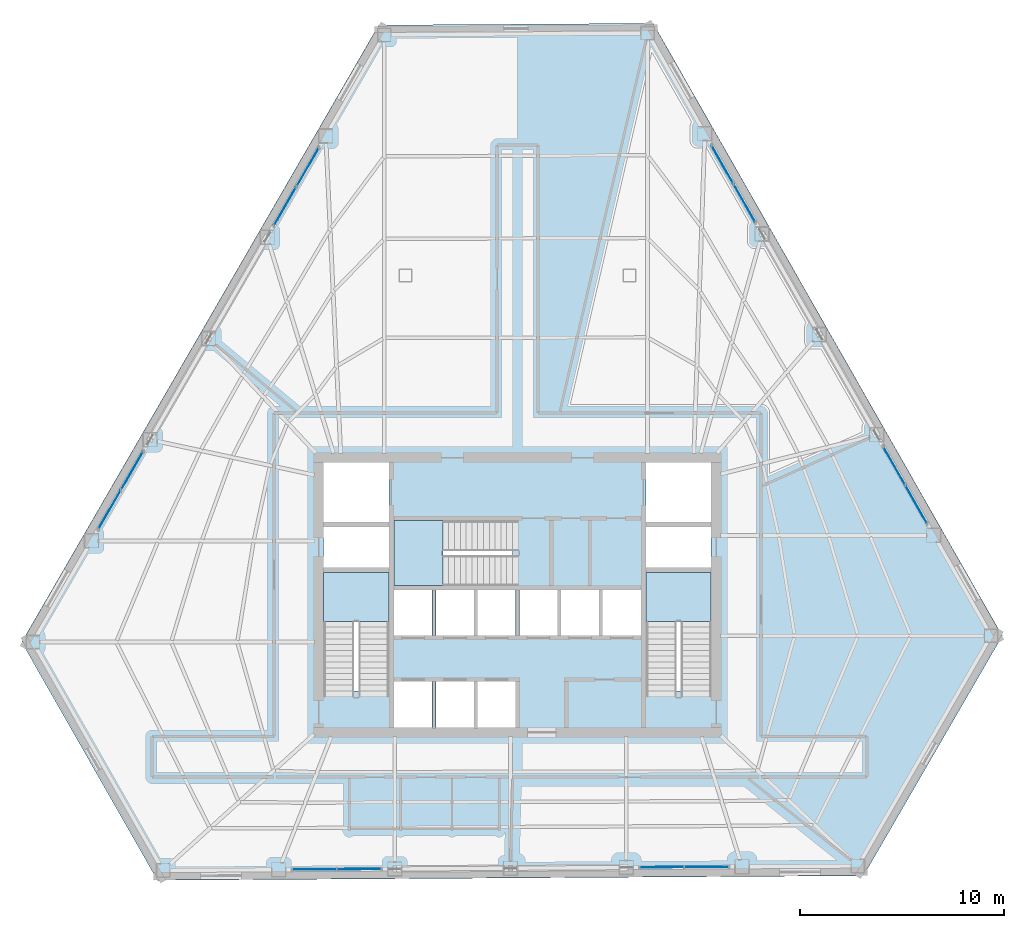
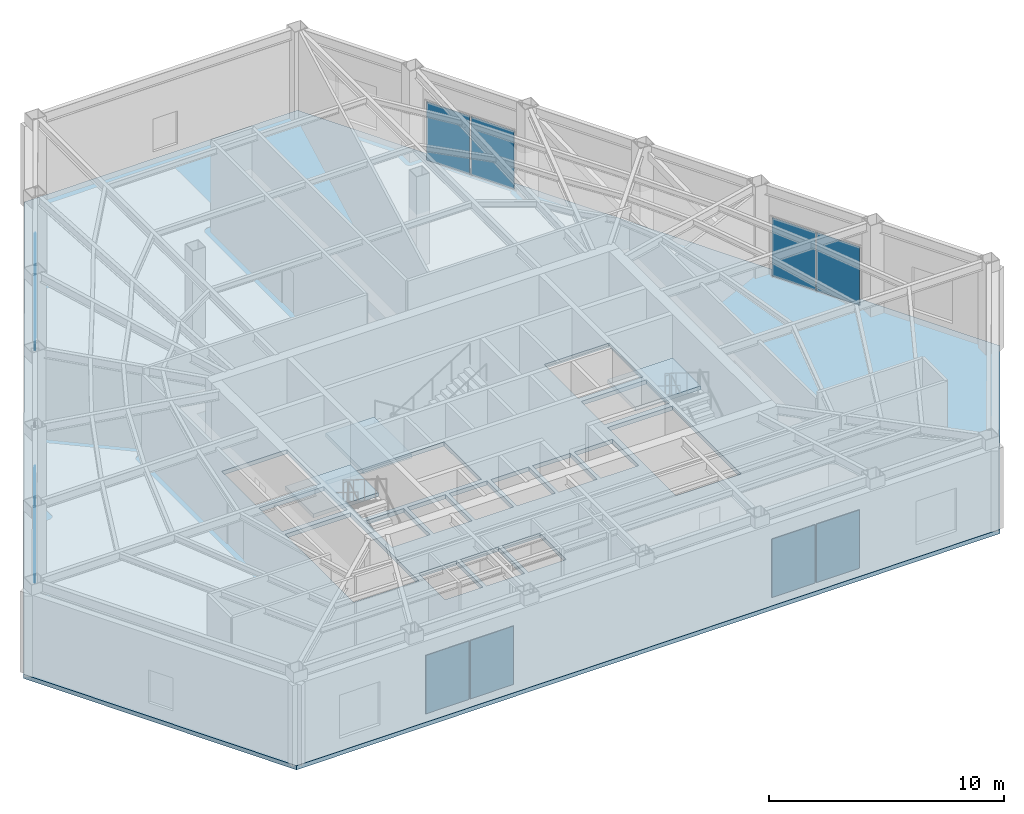
# One storey, part 6 of 14: 12 plates, 4 slabs, 9 elements without a shape of their own.
"""IFC4 building model written with IfcOpenShell, lengths in metres."""

from ifc_helpers import new_model, si_unit, direction, frame, origin, origin_2d, place, context, subcontext, project, spatial, polyline, rectangle, outline, extrude, material, layer, layer_set, type_object, element, aggregate, save


model = new_model("IFC4")

# Units and contexts
model_context = context("Model", 3, precision=1e-05, world=origin(), true_north=direction((0.0, 1.0)))
body_context = subcontext(model_context, "Body", "Model", "MODEL_VIEW")
ifc_project = project(units=[si_unit("LENGTHUNIT", "METRE"), si_unit("AREAUNIT", "SQUARE_METRE"), si_unit("VOLUMEUNIT", "CUBIC_METRE"), si_unit("PLANEANGLEUNIT", "RADIAN"), si_unit("MASSUNIT", "GRAM", prefix="KILO")], contexts=[model_context])

# Site, building, storey
site_placement = place(None, origin())
site = spatial("IfcSite", under=ifc_project, at=site_placement, CompositionType="ELEMENT")
building_placement = place(site_placement, origin())
building = spatial("IfcBuilding", under=site, at=building_placement, Name="Kavelnor Concourse Tower", CompositionType="ELEMENT")
storey_placement = place(building_placement, frame((0.0, 0.0, 80.5)))
storey = spatial("IfcBuildingStorey", under=building, at=storey_placement, Name="L20", CompositionType="ELEMENT", Elevation=80.5)

# Curtain wall, plates
ifc_material_1 = material(Name="Anodised aluminium 6063-T6", Category="aluminium")
ifc_layer_1 = layer(ifc_material_1, 0.18505859375, Name="Anodised aluminium 6063-T6")
ifc_layer_set_1 = layer_set([ifc_layer_1], Name="Anodised aluminium 6063-T6")
curtain_wall_type = type_object("IfcCurtainWallType", Name="CW-SKYLOBBY-L20", PredefinedType="NOTDEFINED", material=ifc_layer_set_1)
curtain_wall_1_placement = place(storey_placement, origin())
curtain_wall_1 = element("IfcCurtainWall", 1, at=curtain_wall_1_placement, inside=storey, type_object=curtain_wall_type, Name="L20 Feature Curtain Wall F0-B1", PredefinedType="NOTDEFINED")
ifc_material_2 = material(Name="Double low-E argon insulated glazing", Category="glass")
ifc_layer_2 = layer(ifc_material_2, 0.030029296875, Name="Double low-E argon insulated glazing")
ifc_layer_set_2 = layer_set([ifc_layer_2], Name="Double low-E argon insulated glazing")
plate_type = type_object("IfcPlateType", Name="CW-SKYLOBBY-L20-PANEL", PredefinedType="CURTAIN_PANEL", material=ifc_layer_set_2)
plate_1_placement = place(storey_placement, frame((27.69873046875, 37.12548828125, 0.06005859375), z_axis=(0.0, 0.0, 1.0), x_axis=(-0.500755559253, -0.865588741769, 0.0)))
plate_1 = element("IfcPlate", 2, at=plate_1_placement, type_object=plate_type, Name="L20 Feature Curtain Wall F0-B1 Vision Panel 1", PredefinedType="CURTAIN_PANEL", context=body_context, shape_type="SweptSolid", body=[
    extrude(rectangle(XDim=2.16357421875, YDim=0.030029296875, at=origin_2d()), origin(), (0.0, 0.0, 1.0), 3.030029296875),
])
plate_2_placement = place(storey_placement, frame((26.585693359375, 35.20166015625, 0.06005859375), z_axis=(0.0, 0.0, 1.0), x_axis=(-0.500755559253, -0.865588741769, 0.0)))
plate_2 = element("IfcPlate", 3, at=plate_2_placement, type_object=plate_type, Name="L20 Feature Curtain Wall F0-B1 Vision Panel 2", PredefinedType="CURTAIN_PANEL", context=body_context, shape_type="SweptSolid", body=[
    extrude(rectangle(XDim=2.16357421875, YDim=0.030029296875, at=origin_2d()), origin(), (0.0, 0.0, 1.0), 3.030029296875),
])
aggregate(curtain_wall_1, [plate_1, plate_2])

curtain_wall_2_placement = place(storey_placement, origin())
curtain_wall_2 = element("IfcCurtainWall", 4, at=curtain_wall_2_placement, inside=storey, type_object=curtain_wall_type, Name="L20 Feature Curtain Wall F0-B4", PredefinedType="NOTDEFINED")
plate_3_placement = place(storey_placement, frame((19.067626953125, 22.20703125, 0.06005859375), z_axis=(0.0, 0.0, 1.0), x_axis=(-0.500755559253, -0.865588741769, 0.0)))
plate_3 = element("IfcPlate", 5, at=plate_3_placement, type_object=plate_type, Name="L20 Feature Curtain Wall F0-B4 Vision Panel 1", PredefinedType="CURTAIN_PANEL", context=body_context, shape_type="SweptSolid", body=[
    extrude(rectangle(XDim=2.16357421875, YDim=0.030029296875, at=origin_2d()), origin(), (0.0, 0.0, 1.0), 3.030029296875),
])
plate_4_placement = place(storey_placement, frame((17.95458984375, 20.283203125, 0.06005859375), z_axis=(0.0, 0.0, 1.0), x_axis=(-0.500755559253, -0.865588741769, 0.0)))
plate_4 = element("IfcPlate", 6, at=plate_4_placement, type_object=plate_type, Name="L20 Feature Curtain Wall F0-B4 Vision Panel 2", PredefinedType="CURTAIN_PANEL", context=body_context, shape_type="SweptSolid", body=[
    extrude(rectangle(XDim=2.16357421875, YDim=0.030029296875, at=origin_2d()), origin(), (0.0, 0.0, 1.0), 3.030029296875),
])
aggregate(curtain_wall_2, [plate_3, plate_4])

curtain_wall_3_placement = place(storey_placement, origin())
curtain_wall_3 = element("IfcCurtainWall", 7, at=curtain_wall_3_placement, inside=storey, type_object=curtain_wall_type, Name="L20 Feature Curtain Wall F1-B1", PredefinedType="NOTDEFINED")
plate_5_placement = place(storey_placement, frame((28.0263671875, 2.615478515625, 0.06005859375), z_axis=(0.0, 0.0, 1.0), x_axis=(0.99997914901, 0.006457673349, 0.0)))
plate_5 = element("IfcPlate", 8, at=plate_5_placement, type_object=plate_type, Name="L20 Feature Curtain Wall F1-B1 Vision Panel 1", PredefinedType="CURTAIN_PANEL", context=body_context, shape_type="SweptSolid", body=[
    extrude(rectangle(XDim=2.135498046875, YDim=0.030029296875, at=origin_2d()), origin(), (0.0, 0.0, 1.0), 3.030029296875),
])
plate_6_placement = place(storey_placement, frame((30.220703125, 2.629638671875, 0.06005859375), z_axis=(0.0, 0.0, 1.0), x_axis=(0.99997914901, 0.006457673349, 0.0)))
plate_6 = element("IfcPlate", 9, at=plate_6_placement, type_object=plate_type, Name="L20 Feature Curtain Wall F1-B1 Vision Panel 2", PredefinedType="CURTAIN_PANEL", context=body_context, shape_type="SweptSolid", body=[
    extrude(rectangle(XDim=2.135498046875, YDim=0.030029296875, at=origin_2d()), origin(), (0.0, 0.0, 1.0), 3.030029296875),
])
aggregate(curtain_wall_3, [plate_5, plate_6])

curtain_wall_4_placement = place(storey_placement, origin())
curtain_wall_4 = element("IfcCurtainWall", 10, at=curtain_wall_4_placement, inside=storey, type_object=curtain_wall_type, Name="L20 Feature Curtain Wall F1-B4", PredefinedType="NOTDEFINED")
plate_7_placement = place(storey_placement, frame((45.09326171875, 2.72509765625, 0.06005859375), z_axis=(0.0, 0.0, 1.0), x_axis=(0.99997914901, 0.006457673349, 0.0)))
plate_7 = element("IfcPlate", 11, at=plate_7_placement, type_object=plate_type, Name="L20 Feature Curtain Wall F1-B4 Vision Panel 1", PredefinedType="CURTAIN_PANEL", context=body_context, shape_type="SweptSolid", body=[
    extrude(rectangle(XDim=2.135498046875, YDim=0.030029296875, at=origin_2d()), origin(), (0.0, 0.0, 1.0), 3.030029296875),
])
plate_8_placement = place(storey_placement, frame((47.28759765625, 2.7392578125, 0.06005859375), z_axis=(0.0, 0.0, 1.0), x_axis=(0.99997914901, 0.006457673349, 0.0)))
plate_8 = element("IfcPlate", 12, at=plate_8_placement, type_object=plate_type, Name="L20 Feature Curtain Wall F1-B4 Vision Panel 2", PredefinedType="CURTAIN_PANEL", context=body_context, shape_type="SweptSolid", body=[
    extrude(rectangle(XDim=2.135498046875, YDim=0.030029296875, at=origin_2d()), origin(), (0.0, 0.0, 1.0), 3.030029296875),
])
aggregate(curtain_wall_4, [plate_7, plate_8])

curtain_wall_5_placement = place(storey_placement, origin())
curtain_wall_5 = element("IfcCurtainWall", 13, at=curtain_wall_5_placement, inside=storey, type_object=curtain_wall_type, Name="L20 Feature Curtain Wall F2-B1", PredefinedType="NOTDEFINED")
plate_9_placement = place(storey_placement, frame((57.591552734375, 20.549560546875, 0.06005859375), z_axis=(0.0, 0.0, 1.0), x_axis=(-0.495155428655, 0.868804409216, 0.0)))
plate_9 = element("IfcPlate", 14, at=plate_9_placement, type_object=plate_type, Name="L20 Feature Curtain Wall F2-B1 Vision Panel 1", PredefinedType="CURTAIN_PANEL", context=body_context, shape_type="SweptSolid", body=[
    extrude(rectangle(XDim=2.130859375, YDim=0.030029296875, at=origin_2d()), origin(), (0.0, 0.0, 1.0), 3.030029296875),
])
plate_10_placement = place(storey_placement, frame((56.507080078125, 22.451904296875, 0.06005859375), z_axis=(0.0, 0.0, 1.0), x_axis=(-0.495155428655, 0.868804409216, 0.0)))
plate_10 = element("IfcPlate", 15, at=plate_10_placement, type_object=plate_type, Name="L20 Feature Curtain Wall F2-B1 Vision Panel 2", PredefinedType="CURTAIN_PANEL", context=body_context, shape_type="SweptSolid", body=[
    extrude(rectangle(XDim=2.130859375, YDim=0.030029296875, at=origin_2d()), origin(), (0.0, 0.0, 1.0), 3.030029296875),
])
aggregate(curtain_wall_5, [plate_9, plate_10])

curtain_wall_6_placement = place(storey_placement, origin())
curtain_wall_6 = element("IfcCurtainWall", 16, at=curtain_wall_6_placement, inside=storey, type_object=curtain_wall_type, Name="L20 Feature Curtain Wall F2-B4", PredefinedType="NOTDEFINED")
plate_11_placement = place(storey_placement, frame((49.153564453125, 35.352783203125, 0.06005859375), z_axis=(0.0, 0.0, 1.0), x_axis=(-0.495155428655, 0.868804409216, 0.0)))
plate_11 = element("IfcPlate", 17, at=plate_11_placement, type_object=plate_type, Name="L20 Feature Curtain Wall F2-B4 Vision Panel 1", PredefinedType="CURTAIN_PANEL", context=body_context, shape_type="SweptSolid", body=[
    extrude(rectangle(XDim=2.130859375, YDim=0.030029296875, at=origin_2d()), origin(), (0.0, 0.0, 1.0), 3.030029296875),
])
plate_12_placement = place(storey_placement, frame((48.069091796875, 37.25537109375, 0.06005859375), z_axis=(0.0, 0.0, 1.0), x_axis=(-0.495155428655, 0.868804409216, 0.0)))
plate_12 = element("IfcPlate", 18, at=plate_12_placement, type_object=plate_type, Name="L20 Feature Curtain Wall F2-B4 Vision Panel 2", PredefinedType="CURTAIN_PANEL", context=body_context, shape_type="SweptSolid", body=[
    extrude(rectangle(XDim=2.130859375, YDim=0.030029296875, at=origin_2d()), origin(), (0.0, 0.0, 1.0), 3.030029296875),
])
aggregate(curtain_wall_6, [plate_11, plate_12])

# Stair, slab
ifc_material_3 = material(Name="Concrete C40/50", Category="concrete")
stair_type = type_object("IfcStairType", Name="STR-CORE-1500", PredefinedType="HALF_TURN_STAIR", material=ifc_material_3)
stair_1_placement = place(storey_placement, origin())
stair_1 = element("IfcStair", 19, at=stair_1_placement, inside=storey, type_object=stair_type, Name="L20 ST1", PredefinedType="HALF_TURN_STAIR")
ifc_layer_3 = layer(ifc_material_3, 0.199951171875, Name="Concrete C40/50")
ifc_layer_set_3 = layer_set([ifc_layer_3], Name="Concrete C40/50")
slab_type_1 = type_object("IfcSlabType", Name="SLB-LANDING-200", PredefinedType="LANDING", material=ifc_layer_set_3)
slab_1_placement = place(storey_placement, frame((0.0, 0.0, 2.300048828125)))
slab_1 = element("IfcSlab", 20, at=slab_1_placement, type_object=slab_type_1, Name="ST1 landing 1", PredefinedType="LANDING", context=body_context, shape_type="SweptSolid", body=[
    extrude(outline(polyline([(31.679931640625, 14.804931640625), (31.679931640625, 17.199951171875), (28.47998046875, 17.199951171875), (28.47998046875, 14.804931640625), (31.679931640625, 14.804931640625)])), origin(), (0.0, 0.0, 1.0), 0.199951171875),
])
aggregate(stair_1, [slab_1])

stair_2_placement = place(storey_placement, origin())
stair_2 = element("IfcStair", 21, at=stair_2_placement, inside=storey, type_object=stair_type, Name="L20 ST2", PredefinedType="HALF_TURN_STAIR")
slab_2_placement = place(storey_placement, frame((0.0, 0.0, 2.300048828125)))
slab_2 = element("IfcSlab", 22, at=slab_2_placement, type_object=slab_type_1, Name="ST2 landing 1", PredefinedType="LANDING", context=body_context, shape_type="SweptSolid", body=[
    extrude(outline(polyline([(47.52001953125, 14.804931640625), (47.52001953125, 17.199951171875), (44.320068359375, 17.199951171875), (44.320068359375, 14.804931640625), (47.52001953125, 14.804931640625)])), origin(), (0.0, 0.0, 1.0), 0.199951171875),
])
aggregate(stair_2, [slab_2])

stair_3_placement = place(storey_placement, origin())
stair_3 = element("IfcStair", 23, at=stair_3_placement, inside=storey, type_object=stair_type, Name="L20 ST3", PredefinedType="HALF_TURN_STAIR")
slab_3_placement = place(storey_placement, frame((0.0, 0.0, 2.300048828125)))
slab_3 = element("IfcSlab", 24, at=slab_3_placement, type_object=slab_type_1, Name="ST3 landing 1", PredefinedType="LANDING", context=body_context, shape_type="SweptSolid", body=[
    extrude(outline(polyline([(34.3349609375, 19.760009765625), (31.93994140625, 19.760009765625), (31.93994140625, 16.56005859375), (34.3349609375, 16.56005859375), (34.3349609375, 19.760009765625)])), origin(), (0.0, 0.0, 1.0), 0.199951171875),
])
aggregate(stair_3, [slab_3])

# Slab
ifc_layer_4 = layer(ifc_material_3, 0.215087890625, Name="Concrete C40/50")
ifc_layer_set_4 = layer_set([ifc_layer_4], Name="Concrete C40/50")
slab_type_2 = type_object("IfcSlabType", Name="SLB-SKYLOBBY-215", PredefinedType="FLOOR", material=ifc_layer_set_4)
slab_4_placement = place(storey_placement, frame((0.0, 0.0, -0.215087890625)))
element("IfcSlab", 25, at=slab_4_placement, inside=storey, type_object=slab_type_2, Name="L20 Composite Structural Floor Slab", PredefinedType="FLOOR", context=body_context, shape_type="SweptSolid", body=[
    extrude(outline(polyline([(44.670166015625, 44.1875), (31.1796875, 44.10107421875), (13.64208984375, 13.787841796875), (20.312255859375, 2.0859375), (55.001708984375, 2.30859375), (61.822021484375, 14.09716796875), (44.670166015625, 44.1875)]), holes=[polyline([(28.47998046875, 11.3798828125), (31.679931640625, 11.3798828125), (31.679931640625, 17.199951171875), (28.47998046875, 17.199951171875), (28.47998046875, 11.3798828125)]), polyline([(44.320068359375, 11.3798828125), (47.52001953125, 11.3798828125), (47.52001953125, 17.199951171875), (44.320068359375, 17.199951171875), (44.320068359375, 11.3798828125)]), polyline([(31.93994140625, 16.56005859375), (37.760009765625, 16.56005859375), (37.760009765625, 19.760009765625), (31.93994140625, 19.760009765625), (31.93994140625, 16.56005859375)]), polyline([(28.47998046875, 19.699951171875), (31.679931640625, 19.699951171875), (31.679931640625, 22.60009765625), (28.47998046875, 22.60009765625), (28.47998046875, 19.699951171875)]), polyline([(44.320068359375, 19.699951171875), (47.52001953125, 19.699951171875), (47.52001953125, 22.60009765625), (44.320068359375, 22.60009765625), (44.320068359375, 19.699951171875)]), polyline([(31.93994140625, 14.10009765625), (33.81005859375, 14.10009765625), (33.81005859375, 16.340087890625), (31.93994140625, 16.340087890625), (31.93994140625, 14.10009765625)]), polyline([(33.989990234375, 14.10009765625), (35.860107421875, 14.10009765625), (35.860107421875, 16.340087890625), (33.989990234375, 16.340087890625), (33.989990234375, 14.10009765625)]), polyline([(36.0400390625, 14.10009765625), (37.909912109375, 14.10009765625), (37.909912109375, 16.340087890625), (36.0400390625, 16.340087890625), (36.0400390625, 14.10009765625)]), polyline([(38.090087890625, 14.10009765625), (39.9599609375, 14.10009765625), (39.9599609375, 16.340087890625), (38.090087890625, 16.340087890625), (38.090087890625, 14.10009765625)]), polyline([(40.139892578125, 14.10009765625), (42.010009765625, 14.10009765625), (42.010009765625, 16.340087890625), (40.139892578125, 16.340087890625), (40.139892578125, 14.10009765625)]), polyline([(42.18994140625, 14.10009765625), (44.06005859375, 14.10009765625), (44.06005859375, 16.340087890625), (42.18994140625, 16.340087890625), (42.18994140625, 14.10009765625)]), polyline([(31.93994140625, 9.60009765625), (33.81005859375, 9.60009765625), (33.81005859375, 11.840087890625), (31.93994140625, 11.840087890625), (31.93994140625, 9.60009765625)]), polyline([(33.989990234375, 9.60009765625), (35.860107421875, 9.60009765625), (35.860107421875, 11.840087890625), (33.989990234375, 11.840087890625), (33.989990234375, 9.60009765625)]), polyline([(36.0400390625, 9.60009765625), (37.909912109375, 9.60009765625), (37.909912109375, 11.840087890625), (36.0400390625, 11.840087890625), (36.0400390625, 9.60009765625)]), polyline([(28.47998046875, 17.4599609375), (31.679931640625, 17.4599609375), (31.679931640625, 19.43994140625), (28.47998046875, 19.43994140625), (28.47998046875, 17.4599609375)]), polyline([(44.320068359375, 17.4599609375), (47.52001953125, 17.4599609375), (47.52001953125, 19.43994140625), (44.320068359375, 19.43994140625), (44.320068359375, 17.4599609375)])]), origin(), (0.0, 0.0, 1.0), 0.215087890625),
])

save(model, "model.ifc")
